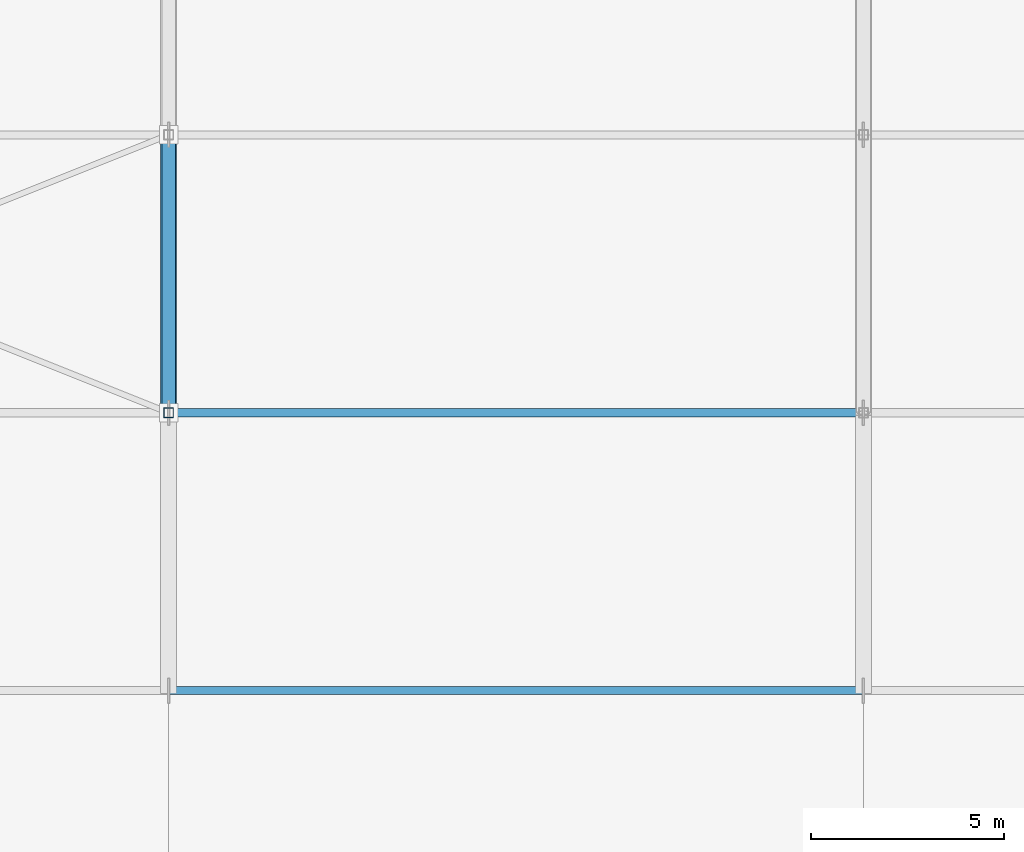
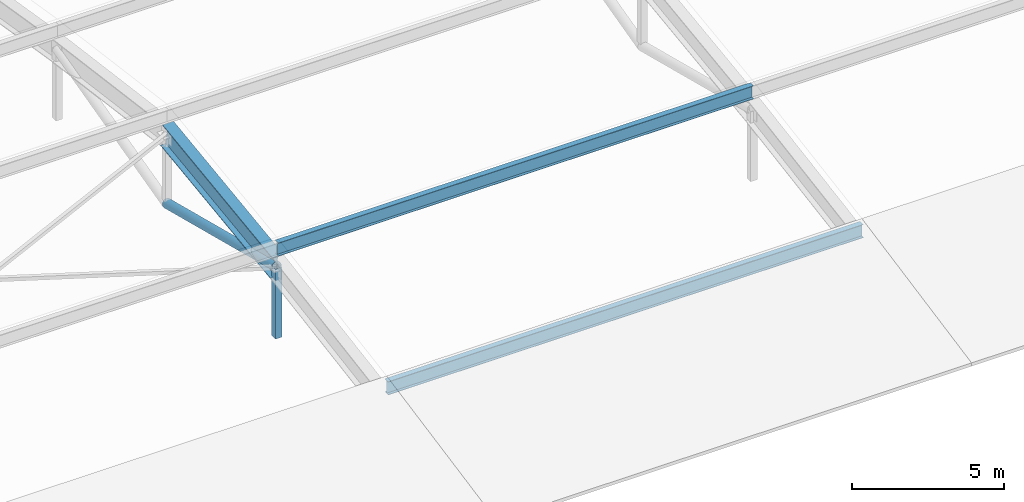
# One storey, part 8 of 78: 5 members.
"""IFC4 building model written with IfcOpenShell, lengths in metres."""

from ifc_helpers import new_model, si_unit, direction, frame, origin, origin_2d, place, context, subcontext, project, spatial, hollow_rectangle, hollow_circle, i_section, extrude, material, material_profile, profile_set, type_object, element, save


model = new_model("IFC4")

# Units and contexts
model_context = context("Model", 3, precision=1e-05, world=origin(), true_north=direction((0.0, 1.0)))
body_context = subcontext(model_context, "Body", "Model", "MODEL_VIEW")
ifc_project = project(units=[si_unit("LENGTHUNIT", "METRE"), si_unit("AREAUNIT", "SQUARE_METRE"), si_unit("VOLUMEUNIT", "CUBIC_METRE"), si_unit("PLANEANGLEUNIT", "RADIAN"), si_unit("MASSUNIT", "GRAM", prefix="KILO")], contexts=[model_context])

# Site, building, storey
site_placement = place(None, origin())
site = spatial("IfcSite", under=ifc_project, at=site_placement, CompositionType="ELEMENT")
building_placement = place(site_placement, origin())
building = spatial("IfcBuilding", under=site, at=building_placement, Name="Celestram Park Convention Centre", CompositionType="ELEMENT")
storey_placement = place(building_placement, frame((0.0, 0.0, 19.800048828125)))
storey = spatial("IfcBuildingStorey", under=building, at=storey_placement, Name="L04", CompositionType="ELEMENT", Elevation=19.800048828125)

# Members
ifc_material_1 = material(Name="Steel ASTM A500 Grade C", Category="steel")
ifc_material_profile_1 = material_profile(ifc_material_1, hollow_circle(Radius=0.177978515625, WallThickness=0.011962890625, at=origin_2d()), Name="CHS356X12")
ifc_profile_set_1 = profile_set([ifc_material_profile_1], Name="Steel ASTM A500 Grade C")
member_type_1 = type_object("IfcMemberType", Name="STR-BRC-CHS356", PredefinedType="BRACE", material=ifc_profile_set_1)
member_1_placement = place(storey_placement, frame((18.0, 57.60009765625, 1.670166015625), z_axis=(0.0, 0.968804355336, -0.247826796536), x_axis=(-1.0, 0.0, 0.0)))
element("IfcMember", 1, at=member_1_placement, inside=storey, type_object=member_type_1, Name="V1 arch web diagonal", PredefinedType="BRACE", context=body_context, shape_type="SweptSolid", body=[
    extrude(hollow_circle(Radius=0.177978515625, WallThickness=0.011962890625, at=origin_2d()), origin(), (0.0, 0.0, 1.0), 7.431884765625),
])
ifc_material_2 = material(Name="Steel ASTM A992 Grade 50", Category="steel")
ifc_material_profile_2 = material_profile(ifc_material_2, i_section(OverallWidth=0.4189453125, OverallDepth=0.927001953125, WebThickness=0.019287109375, FlangeThickness=0.031982421875, at=origin_2d()), Name="W36X231")
ifc_profile_set_2 = profile_set([ifc_material_profile_2], Name="Steel ASTM A992 Grade 50")
member_type_2 = type_object("IfcMemberType", Name="STR-CHD-W36X231", PredefinedType="CHORD", material=ifc_profile_set_2)
member_2_placement = place(storey_placement, frame((18.0, 57.60009765625, 1.670166015625), z_axis=(0.0, 0.991259283276, 0.131928136952), x_axis=(-1.0, 0.0, 0.0)))
element("IfcMember", 2, at=member_2_placement, inside=storey, type_object=member_type_2, Name="V1 arch top chord", PredefinedType="CHORD", context=body_context, shape_type="SweptSolid", body=[
    extrude(i_section(OverallWidth=0.4189453125, OverallDepth=0.927001953125, WebThickness=0.019287109375, FlangeThickness=0.031982421875, at=origin_2d()), origin(), (0.0, 0.0, 1.0), 7.263427734375),
])
ifc_material_profile_3 = material_profile(ifc_material_2, i_section(OverallWidth=0.2099609375, OverallDepth=0.532958984375, WebThickness=0.01025390625, FlangeThickness=0.015625, at=origin_2d()), Name="W21X62")
ifc_profile_set_3 = profile_set([ifc_material_profile_3], Name="Steel ASTM A992 Grade 50")
member_type_3 = type_object("IfcMemberType", Name="STR-RFT-W21X62", PredefinedType="RAFTER", material=ifc_profile_set_3)
for number, where, z_axis, x_axis, name in (
    (3, (18.0, 50.39990234375, 1.211669921875), (1.0, 0.0, 0.0), (0.0, 1.0, 0.0), "V1 roof purlin"),
    (4, (18.0, 57.60009765625, 2.400146484375), (1.0, 0.0, 0.0), (0.0, 1.0, 0.0), "V1 roof purlin"),
):
    element("IfcMember", number, at=place(storey_placement, frame(where, z_axis=z_axis, x_axis=x_axis)), inside=storey, type_object=member_type_3, Name=name, PredefinedType="RAFTER", context=body_context, shape_type="SweptSolid", body=[
        extrude(i_section(OverallWidth=0.2099609375, OverallDepth=0.532958984375, WebThickness=0.01025390625, FlangeThickness=0.015625, at=origin_2d()), origin(), (0.0, 0.0, 1.0), 18.0),
    ])
ifc_material_profile_4 = material_profile(ifc_material_1, hollow_rectangle(XDim=0.25, YDim=0.25, WallThickness=0.011962890625, at=origin_2d()), Name="HSS250X250X12")
ifc_profile_set_4 = profile_set([ifc_material_profile_4], Name="Steel ASTM A500 Grade C")
member_type_4 = type_object("IfcMemberType", Name="STR-STR-HSS250", PredefinedType="STRUT", material=ifc_profile_set_4)
member_3_placement = place(storey_placement, frame((18.0, 57.60009765625, -1.1298828125), z_axis=(0.0, 0.0, 1.0), x_axis=(1.0, 0.0, 0.0)))
element("IfcMember", 5, at=member_3_placement, inside=storey, type_object=member_type_4, Name="V1 arch vertical strut", PredefinedType="STRUT", context=body_context, shape_type="SweptSolid", body=[
    extrude(hollow_rectangle(XDim=0.25, YDim=0.25, WallThickness=0.011962890625, at=origin_2d()), origin(), (0.0, 0.0, 1.0), 2.800048828125),
])

save(model, "model.ifc")
